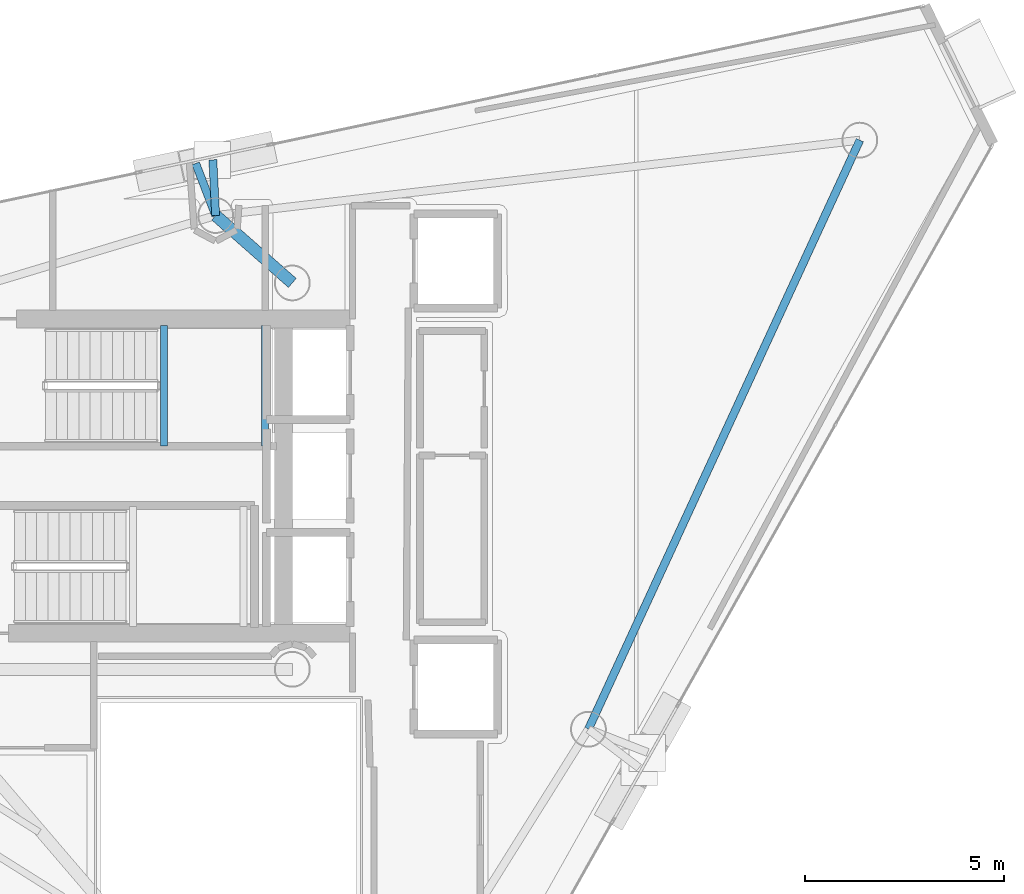
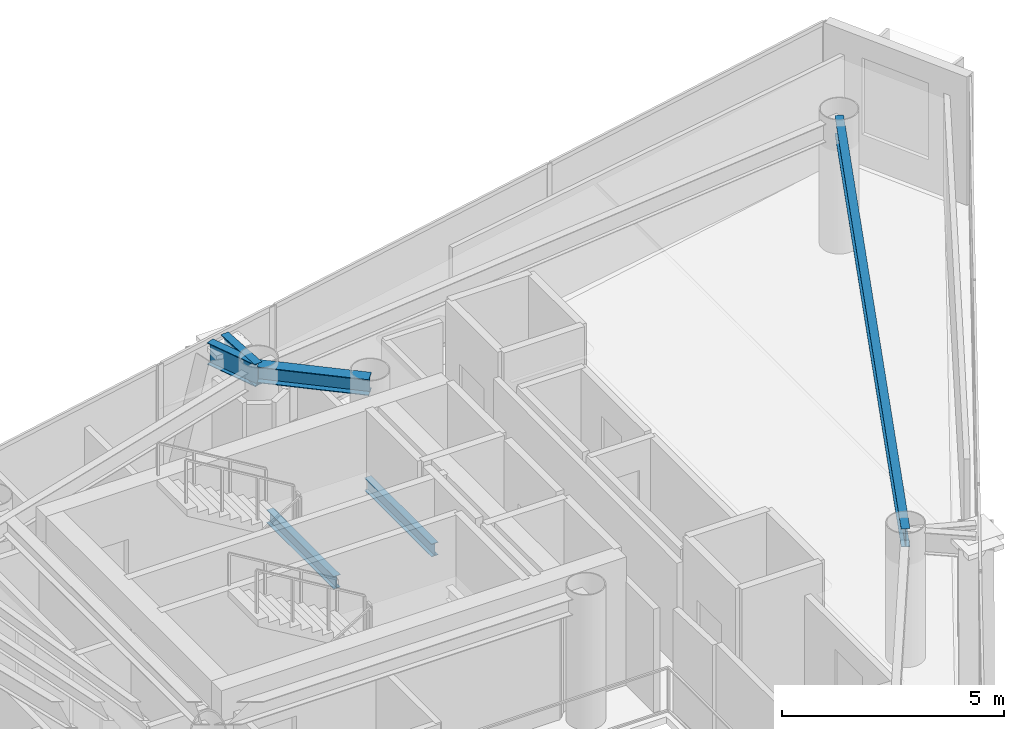
# One storey, part 12 of 21: 6 beams.
"""IFC4 building model written with IfcOpenShell, lengths in metres."""

from ifc_helpers import new_model, si_unit, direction, frame, origin, origin_2d, place, context, subcontext, project, spatial, i_section, extrude, material, material_profile, profile_set, type_object, element, save


model = new_model("IFC4")

# Units and contexts
model_context = context("Model", 3, precision=1e-05, world=origin(), true_north=direction((0.0, 1.0)))
body_context = subcontext(model_context, "Body", "Model", "MODEL_VIEW")
ifc_project = project(units=[si_unit("LENGTHUNIT", "METRE"), si_unit("AREAUNIT", "SQUARE_METRE"), si_unit("VOLUMEUNIT", "CUBIC_METRE"), si_unit("PLANEANGLEUNIT", "RADIAN"), si_unit("MASSUNIT", "GRAM", prefix="KILO")], contexts=[model_context])

# Site, building, storey
site_placement = place(None, origin())
site = spatial("IfcSite", under=ifc_project, at=site_placement, CompositionType="ELEMENT")
building_placement = place(site_placement, origin())
building = spatial("IfcBuilding", under=site, at=building_placement, Name="Qianvela Tower", CompositionType="ELEMENT")
storey_placement = place(building_placement, frame((0.0, 0.0, 302.800048828125)))
storey = spatial("IfcBuildingStorey", under=building, at=storey_placement, Name="L78", CompositionType="ELEMENT", Elevation=302.800048828125)

# Beams
ifc_material_1 = material(Name="Steel Q355B", Category="steel")
ifc_material_profile_1 = material_profile(ifc_material_1, i_section(OverallWidth=0.300048828125, OverallDepth=0.43994140625, WebThickness=0.010986328125, FlangeThickness=0.01806640625, at=origin_2d()), Name="HM440x300x11x18")
ifc_profile_set_1 = profile_set([ifc_material_profile_1], Name="Steel Q355B")
beam_type_1 = type_object("IfcBeamType", Name="BM-HM440-COLL", PredefinedType="BEAM", material=ifc_profile_set_1)
beam_1_placement = place(storey_placement, frame((38.39990234375, 33.550048828125, 3.2978515625), z_axis=(-0.750732416106, 0.660606417928, 0.0), x_axis=(-0.660606417928, -0.750732416106, 0.0)))
element("IfcBeam", 1, at=beam_1_placement, inside=storey, type_object=beam_type_1, Name="L78 Radial Primary Floor Girder 2", PredefinedType="BEAM", context=body_context, shape_type="SweptSolid", body=[
    extrude(i_section(OverallWidth=0.300048828125, OverallDepth=0.43994140625, WebThickness=0.010986328125, FlangeThickness=0.01806640625, at=origin_2d()), origin(), (0.0, 0.0, 1.0), 2.5625),
])
ifc_material_2 = material(Name="Steel Q355B", Category="steel")
ifc_material_profile_2 = material_profile(ifc_material_2, i_section(OverallWidth=0.175048828125, OverallDepth=0.35009765625, WebThickness=0.007080078125, FlangeThickness=0.010986328125, at=origin_2d()), Name="HN350x175x7x11")
ifc_profile_set_2 = profile_set([ifc_material_profile_2], Name="Steel Q355B")
beam_type_2 = type_object("IfcBeamType", Name="BM-HN350-JOIST", PredefinedType="JOIST", material=ifc_profile_set_2)
for number, where, z_axis, x_axis, name in (
    (2, (35.179931640625, 29.4599609375, 1.474853515625), (0.0, 1.0, 0.0), (-1.0, 0.0, 0.0), "L78 Stair ST-1 Landing Support Beam 1.1"),
    (3, (37.719970703125, 29.4599609375, 1.474853515625), (0.0, 1.0, 0.0), (-1.0, 0.0, 0.0), "L78 Stair ST-1 Landing Support Beam 1.2"),
):
    element("IfcBeam", number, at=place(storey_placement, frame(where, z_axis=z_axis, x_axis=x_axis)), inside=storey, type_object=beam_type_2, Name=name, PredefinedType="JOIST", context=body_context, shape_type="SweptSolid", body=[
        extrude(i_section(OverallWidth=0.175048828125, OverallDepth=0.35009765625, WebThickness=0.007080078125, FlangeThickness=0.010986328125, at=origin_2d()), origin(), (0.0, 0.0, 1.0), 3.02001953125),
    ])
ifc_material_3 = material(Name="Steel Q355B", Category="steel")
ifc_material_profile_3 = material_profile(ifc_material_3, i_section(OverallWidth=0.199951171875, OverallDepth=0.5, WebThickness=0.010009765625, FlangeThickness=0.01611328125, at=origin_2d()), Name="HN500x200x10x16")
ifc_profile_set_3 = profile_set([ifc_material_profile_3], Name="Steel Q355B")
beam_type_3 = type_object("IfcBeamType", Name="BM-HN500-GIRD", PredefinedType="BEAM", material=ifc_profile_set_3)
beam_2_placement = place(storey_placement, frame((45.833984375, 22.344970703125, 3.26806640625), z_axis=(0.418440097712, 0.908244396969, 0.0), x_axis=(-0.908244396969, 0.418440097712, 0.0)))
element("IfcBeam", 4, at=beam_2_placement, inside=storey, type_object=beam_type_3, Name="L78 Perimeter Ring Spandrel Girder 6", PredefinedType="BEAM", context=body_context, shape_type="SweptSolid", body=[
    extrude(i_section(OverallWidth=0.199951171875, OverallDepth=0.5, WebThickness=0.010009765625, FlangeThickness=0.01611328125, at=origin_2d()), origin(), (0.0, 0.0, 1.0), 16.2841796875),
])
ifc_material_4 = material(Name="Steel Q355B", Category="steel")
ifc_material_profile_4 = material_profile(ifc_material_4, i_section(OverallWidth=0.199951171875, OverallDepth=0.60009765625, WebThickness=0.010986328125, FlangeThickness=0.01708984375, at=origin_2d()), Name="HN600x200x11x17")
ifc_profile_set_4 = profile_set([ifc_material_profile_4], Name="Steel Q355B")
beam_type_4 = type_object("IfcBeamType", Name="BM-HN600-GIRD", PredefinedType="BEAM", material=ifc_profile_set_4)
for number, where, z_axis, x_axis, name in (
    (5, (36.47607421875, 35.242919921875, 3.218017578125), (-0.051076550733, 0.998694741132, 0.0), (-0.998694741132, -0.051076550733, 0.0), "L78 Mega-Brace Column Tie Bracket F1-1"),
    (6, (36.47607421875, 35.242919921875, 3.218017578125), (-0.358429956103, 0.933556622047, 0.0), (-0.933556622047, -0.358429956103, 0.0), "L78 Mega-Brace Column Tie Bracket F1-2"),
):
    element("IfcBeam", number, at=place(storey_placement, frame(where, z_axis=z_axis, x_axis=x_axis)), inside=storey, type_object=beam_type_4, Name=name, PredefinedType="BEAM", context=body_context, shape_type="SweptSolid", body=[
        extrude(i_section(OverallWidth=0.199951171875, OverallDepth=0.60009765625, WebThickness=0.010986328125, FlangeThickness=0.01708984375, at=origin_2d()), origin(), (0.0, 0.0, 1.0), 1.400390625),
    ])

save(model, "model.ifc")
